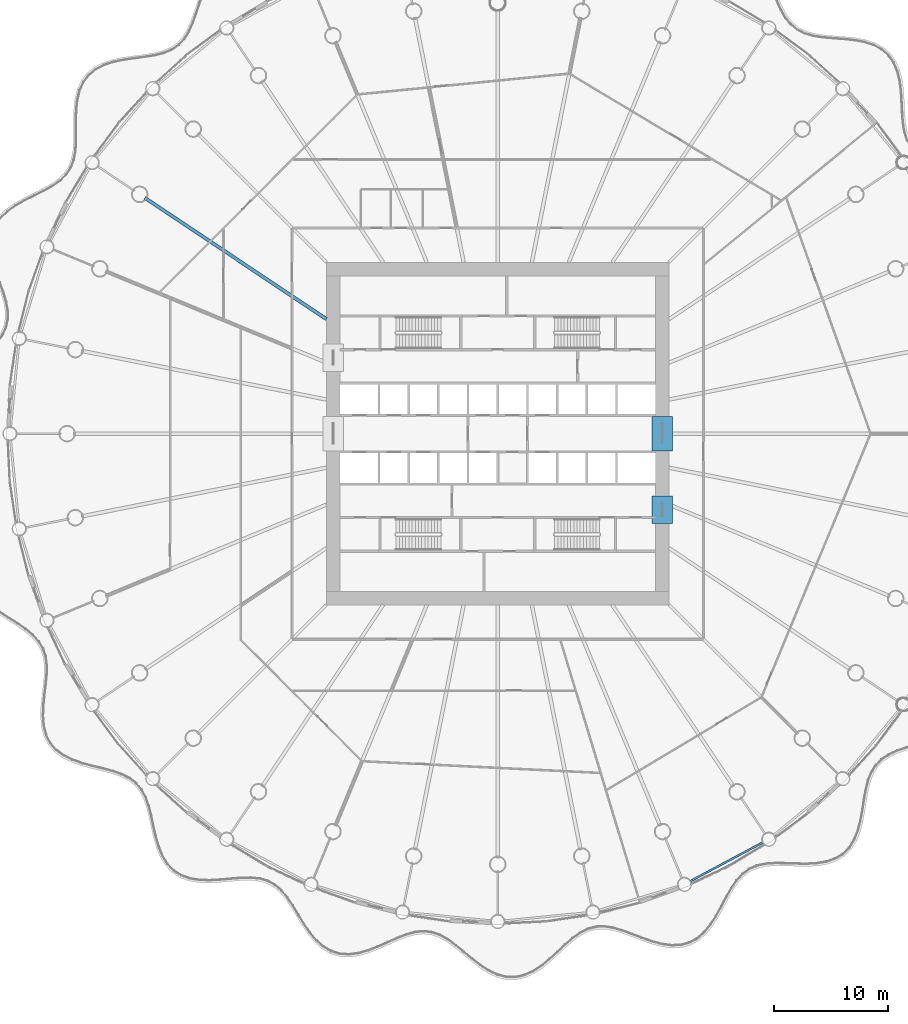
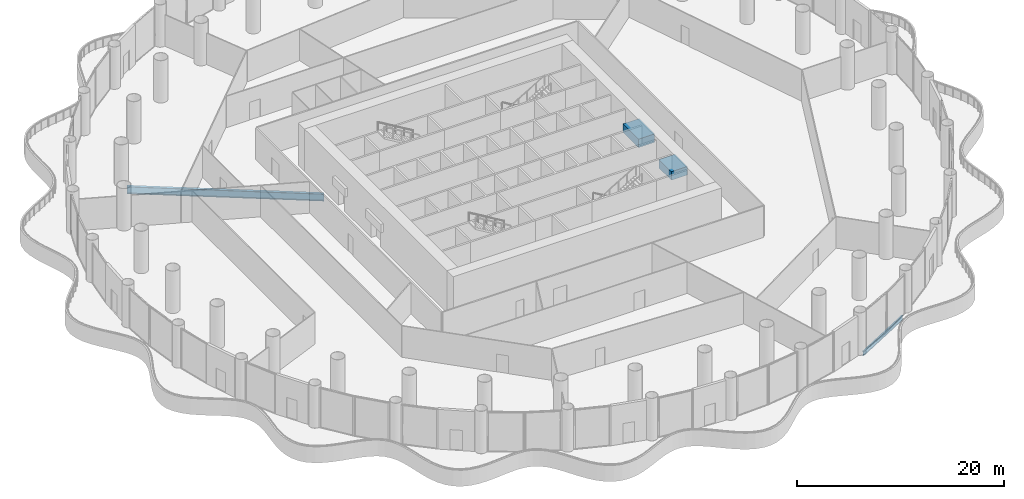
# One storey, part 9 of 35: 4 beams.
"""IFC4 building model written with IfcOpenShell, lengths in metres."""

from ifc_helpers import new_model, si_unit, direction, frame, origin, origin_2d, place, context, subcontext, project, spatial, rectangle, i_section, extrude, material, material_profile, profile_set, type_object, element, save


model = new_model("IFC4")

# Units and contexts
model_context = context("Model", 3, precision=1e-05, world=origin(), true_north=direction((0.0, 1.0)))
body_context = subcontext(model_context, "Body", "Model", "MODEL_VIEW")
ifc_project = project(units=[si_unit("LENGTHUNIT", "METRE"), si_unit("AREAUNIT", "SQUARE_METRE"), si_unit("VOLUMEUNIT", "CUBIC_METRE"), si_unit("PLANEANGLEUNIT", "RADIAN"), si_unit("MASSUNIT", "GRAM", prefix="KILO")], contexts=[model_context])

# Site, building, storey
site_placement = place(None, origin())
site = spatial("IfcSite", under=ifc_project, at=site_placement, CompositionType="ELEMENT")
building_placement = place(site_placement, origin())
building = spatial("IfcBuilding", under=site, at=building_placement, Name="Corvane Civic Tower", CompositionType="ELEMENT")
storey_placement = place(building_placement, frame((0.0, 0.0, 27.0)))
storey = spatial("IfcBuildingStorey", under=building, at=storey_placement, Name="L05", CompositionType="ELEMENT", Elevation=27.0)

# Beams
ifc_material_1 = material(Name="Concrete C80/95", Category="concrete")
ifc_material_profile_1 = material_profile(ifc_material_1, rectangle(XDim=1.800048828125, YDim=1.0, at=origin_2d()), Name="COUPLING BEAM 1800X1000")
ifc_profile_set_1 = profile_set([ifc_material_profile_1], Name="Concrete C80/95")
beam_type_1 = type_object("IfcBeamType", Name="COUPLING BEAM COUPLING BEAM 1800X1000", PredefinedType="BEAM", material=ifc_profile_set_1)
beam_1_placement = place(storey_placement, frame((14.39990234375, -1.5, 2.60009765625), z_axis=(0.0, 1.0, 0.0), x_axis=(-1.0, 0.0, 0.0)))
element("IfcBeam", 1, at=beam_1_placement, inside=storey, type_object=beam_type_1, Name="BM-L05-cpl-CW-LE", PredefinedType="BEAM", context=body_context, shape_type="SweptSolid", body=[
    extrude(rectangle(XDim=1.800048828125, YDim=1.0, at=origin_2d()), origin(), (0.0, 0.0, 1.0), 3.0),
])
beam_2_placement = place(storey_placement, frame((14.39990234375, -7.85009765625, 2.60009765625), z_axis=(0.0, 1.0, 0.0), x_axis=(-1.0, 0.0, 0.0)))
element("IfcBeam", 2, at=beam_2_placement, inside=storey, type_object=beam_type_1, Name="BM-L05-cpl-CW-ES", PredefinedType="BEAM", context=body_context, shape_type="SweptSolid", body=[
    extrude(rectangle(XDim=1.800048828125, YDim=1.0, at=origin_2d()), origin(), (0.0, 0.0, 1.0), 2.400146484375),
])
ifc_material_2 = material(Name="Steel ASTM A992 Gr 50", Category="steel")
ifc_material_profile_2 = material_profile(ifc_material_2, i_section(OverallWidth=0.165771484375, OverallDepth=0.5283203125, WebThickness=0.009765625, FlangeThickness=0.013671875, at=origin_2d()), Name="W21X50")
ifc_profile_set_2 = profile_set([ifc_material_profile_2], Name="Steel ASTM A992 Gr 50")
beam_type_2 = type_object("IfcBeamType", Name="EDGE BEAM W21X50", PredefinedType="BEAM", material=ifc_profile_set_2)
beam_3_placement = place(storey_placement, frame((23.23779296875, -35.762939453125, -0.564208984375), z_axis=(-0.881912894916, -0.471412394598, 0.0), x_axis=(0.471412394598, -0.881912894916, 0.0)))
element("IfcBeam", 3, at=beam_3_placement, inside=storey, type_object=beam_type_2, Name="BM-L05-E14", PredefinedType="BEAM", context=body_context, shape_type="SweptSolid", body=[
    extrude(i_section(OverallWidth=0.165771484375, OverallDepth=0.5283203125, WebThickness=0.009765625, FlangeThickness=0.013671875, at=origin_2d()), origin(), (0.0, 0.0, 1.0), 7.270751953125),
])
ifc_material_3 = material(Name="Steel ASTM A992 Gr 50", Category="steel")
ifc_material_profile_3 = material_profile(ifc_material_3, i_section(OverallWidth=0.2919921875, OverallDepth=0.845703125, WebThickness=0.015380859375, FlangeThickness=0.0244140625, at=origin_2d()), Name="W33X141")
ifc_profile_set_3 = profile_set([ifc_material_profile_3], Name="Steel ASTM A992 Gr 50")
beam_type_3 = type_object("IfcBeamType", Name="FLOOR GIRDER W33X141", PredefinedType="BEAM", material=ifc_profile_set_3)
beam_4_placement = place(storey_placement, frame((-15.0, 10.022705078125, -0.722900390625), z_axis=(-0.831471985418, 0.555566681385, 0.0), x_axis=(-0.555566681385, -0.831471985418, 0.0)))
element("IfcBeam", 4, at=beam_4_placement, inside=storey, type_object=beam_type_3, Name="BM-L05-G28", PredefinedType="BEAM", context=body_context, shape_type="SweptSolid", body=[
    extrude(i_section(OverallWidth=0.2919921875, OverallDepth=0.845703125, WebThickness=0.015380859375, FlangeThickness=0.0244140625, at=origin_2d()), origin(), (0.0, 0.0, 1.0), 19.109619140625),
])

save(model, "model.ifc")
